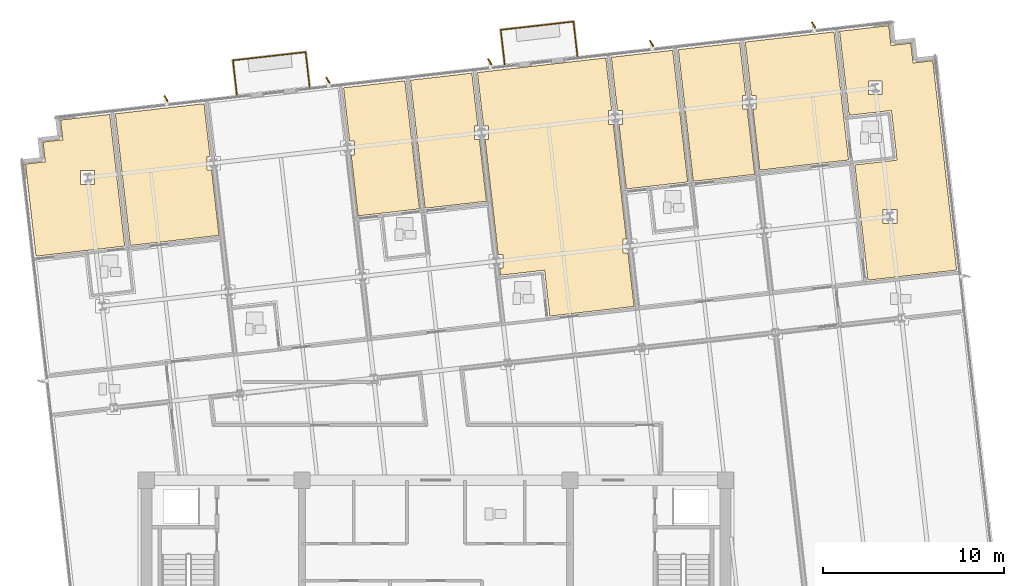
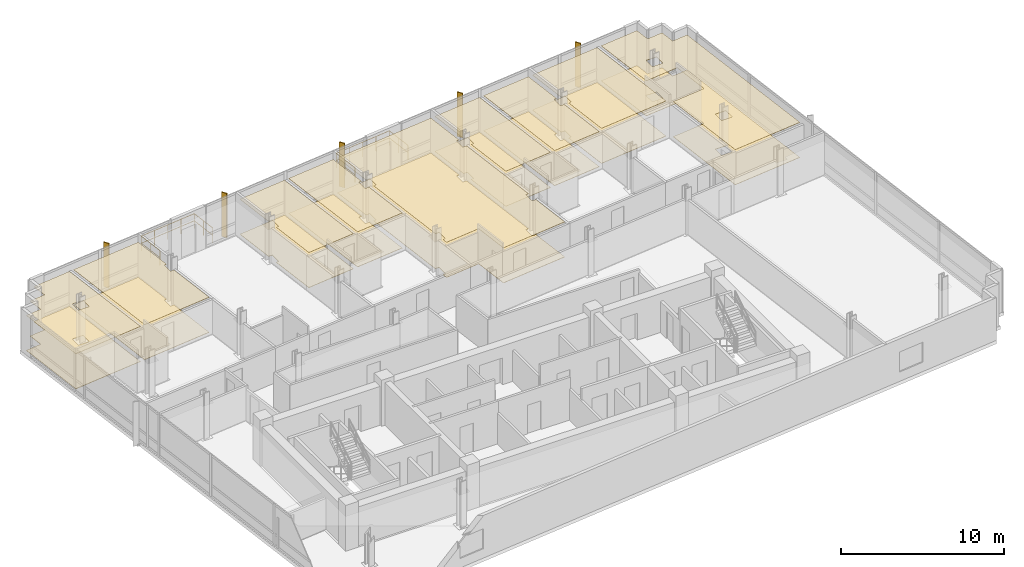
# One storey, part 16 of 17: 18 coverings, 6 railings, 5 shading devices.
"""IFC4 building model written with IfcOpenShell, lengths in metres."""

from ifc_helpers import new_model, si_unit, direction, frame, origin, origin_2d, place, context, subcontext, project, spatial, polyline, rectangle, circle, outline, extrude, material, layer, layer_set, type_object, element, save


model = new_model("IFC4")

# Units and contexts
model_context = context("Model", 3, precision=1e-05, world=origin(), true_north=direction((0.0, 1.0)))
body_context = subcontext(model_context, "Body", "Model", "MODEL_VIEW")
ifc_project = project(units=[si_unit("LENGTHUNIT", "METRE"), si_unit("AREAUNIT", "SQUARE_METRE"), si_unit("VOLUMEUNIT", "CUBIC_METRE"), si_unit("PLANEANGLEUNIT", "RADIAN"), si_unit("MASSUNIT", "GRAM", prefix="KILO")], contexts=[model_context])

# Site, building, storey
site_placement = place(None, origin())
site = spatial("IfcSite", under=ifc_project, at=site_placement, CompositionType="ELEMENT")
building_placement = place(site_placement, origin())
building = spatial("IfcBuilding", under=site, at=building_placement, Name="Solmavex Isthmus Hotel", CompositionType="ELEMENT")
storey_placement = place(building_placement, frame((0.0, 0.0, 198.60009765625)))
storey = spatial("IfcBuildingStorey", under=building, at=storey_placement, Name="L53", CompositionType="ELEMENT", Elevation=198.60009765625)

# Coverings
ifc_material_1 = material(Name="Gypsum plasterboard lining", Category="gypsum")
ifc_layer_1 = layer(ifc_material_1, 0.030029296875)
ifc_layer_set_1 = layer_set([ifc_layer_1], Name="Gypsum plasterboard lining")
covering_type_1 = type_object("IfcCoveringType", Name="COV-CEIL-GYP", PredefinedType="CEILING", material=ifc_layer_set_1)
covering_1_placement = place(storey_placement, frame((0.0, 0.0, 2.619873046875)))
element("IfcCovering", 1, at=covering_1_placement, inside=storey, type_object=covering_type_1, Name="Suspended Acoustic Ceiling L53-HB01", PredefinedType="CEILING", context=body_context, shape_type="SweptSolid", body=[
    extrude(outline(polyline([(-22.677001953125, 14.966552734375), (-22.58349609375, 14.146728515625), (-22.09716796875, 9.87744140625), (-17.19482421875, 10.435791015625), (-18.023681640625, 17.7109375), (-19.92041015625, 17.49462890625), (-20.740234375, 17.4013671875), (-20.615478515625, 16.308349609375), (-21.70849609375, 16.183837890625), (-21.583984375, 15.091064453125), (-22.677001953125, 14.966552734375)]), holes=[polyline([(-19.6259765625, 13.844970703125), (-19.6259765625, 14.60498046875), (-18.865966796875, 14.60498046875), (-18.865966796875, 13.844970703125), (-19.6259765625, 13.844970703125)])]), origin(), (0.0, 0.0, 1.0), 0.030029296875),
])
covering_2_placement = place(storey_placement, frame((0.0, 0.0, 2.619873046875)))
element("IfcCovering", 2, at=covering_2_placement, inside=storey, type_object=covering_type_1, Name="Suspended Acoustic Ceiling L53-HP01", PredefinedType="CEILING", context=body_context, shape_type="SweptSolid", body=[
    extrude(outline(polyline([(-12.395751953125, 14.638427734375), (-12.6630859375, 14.638427734375), (-12.6630859375, 15.3984375), (-12.482421875, 15.3984375), (-12.8134765625, 18.304443359375), (-17.715576171875, 17.745849609375), (-16.88671875, 10.470947265625), (-11.984619140625, 11.029541015625), (-12.395751953125, 14.638427734375)])), origin(), (0.0, 0.0, 1.0), 0.030029296875),
])
covering_3_placement = place(storey_placement, frame((0.0, 0.0, 2.619873046875)))
element("IfcCovering", 3, at=covering_3_placement, inside=storey, type_object=covering_type_1, Name="Suspended Acoustic Ceiling L53-TB03", PredefinedType="CEILING", context=body_context, shape_type="SweptSolid", body=[
    extrude(outline(polyline([(-4.772216796875, 16.2412109375), (-4.5048828125, 16.2412109375), (-4.5048828125, 15.481201171875), (-4.685546875, 15.481201171875), (-4.301025390625, 12.106201171875), (-0.909912109375, 12.49267578125), (-1.71630859375, 19.56884765625), (-5.107177734375, 19.182373046875), (-4.772216796875, 16.2412109375)])), origin(), (0.0, 0.0, 1.0), 0.030029296875),
])
covering_4_placement = place(storey_placement, frame((0.0, 0.0, 2.619873046875)))
element("IfcCovering", 4, at=covering_4_placement, inside=storey, type_object=covering_type_1, Name="Suspended Acoustic Ceiling L53-TL03", PredefinedType="CEILING", context=body_context, shape_type="SweptSolid", body=[
    extrude(outline(polyline([(2.400634765625, 16.32421875), (2.13330078125, 16.32421875), (2.13330078125, 17.084228515625), (2.31396484375, 17.084228515625), (1.98291015625, 19.990234375), (-1.408203125, 19.60400390625), (-0.60205078125, 12.52783203125), (2.7890625, 12.9140625), (2.400634765625, 16.32421875)])), origin(), (0.0, 0.0, 1.0), 0.030029296875),
])
covering_5_placement = place(storey_placement, frame((0.0, 0.0, 2.619873046875)))
element("IfcCovering", 5, at=covering_5_placement, inside=storey, type_object=covering_type_1, Name="Suspended Acoustic Ceiling L53-RM04", PredefinedType="CEILING", context=body_context, shape_type="SweptSolid", body=[
    extrude(outline(polyline([(3.435546875, 9.978271484375), (3.702880859375, 9.978271484375), (3.702880859375, 9.21826171875), (3.522216796875, 9.21826171875), (3.566650390625, 8.827880859375), (6.0009765625, 9.105224609375), (6.28955078125, 6.571533203125), (10.945556640625, 7.10205078125), (10.6083984375, 10.06103515625), (10.341064453125, 10.06103515625), (10.341064453125, 10.821044921875), (10.521728515625, 10.821044921875), (9.798583984375, 17.167236328125), (9.531494140625, 17.167236328125), (9.531494140625, 17.92724609375), (9.712158203125, 17.92724609375), (9.381103515625, 20.833251953125), (2.290771484375, 20.025390625), (2.6259765625, 17.084228515625), (2.893310546875, 17.084228515625), (2.893310546875, 16.32421875), (2.712646484375, 16.32421875), (3.435546875, 9.978271484375)])), origin(), (0.0, 0.0, 1.0), 0.030029296875),
])
covering_6_placement = place(storey_placement, frame((0.0, 0.0, 2.619873046875)))
element("IfcCovering", 6, at=covering_6_placement, inside=storey, type_object=covering_type_1, Name="Suspended Acoustic Ceiling L53-HB05", PredefinedType="CEILING", context=body_context, shape_type="SweptSolid", body=[
    extrude(outline(polyline([(10.024169921875, 17.92724609375), (10.29150390625, 17.92724609375), (10.29150390625, 17.167236328125), (10.110595703125, 17.167236328125), (10.517822265625, 13.59326171875), (13.908935546875, 13.979736328125), (13.080078125, 21.254638671875), (9.68896484375, 20.868408203125), (10.024169921875, 17.92724609375)])), origin(), (0.0, 0.0, 1.0), 0.030029296875),
])
covering_7_placement = place(storey_placement, frame((0.0, 0.0, 2.619873046875)))
element("IfcCovering", 7, at=covering_7_placement, inside=storey, type_object=covering_type_1, Name="Suspended Acoustic Ceiling L53-HP05", PredefinedType="CEILING", context=body_context, shape_type="SweptSolid", body=[
    extrude(outline(polyline([(17.19677734375, 18.010009765625), (16.929443359375, 18.010009765625), (16.929443359375, 18.77001953125), (17.1103515625, 18.77001953125), (16.779052734375, 21.676025390625), (13.38818359375, 21.289794921875), (14.217041015625, 14.014892578125), (17.60791015625, 14.401123046875), (17.19677734375, 18.010009765625)])), origin(), (0.0, 0.0, 1.0), 0.030029296875),
])
covering_8_placement = place(storey_placement, frame((0.0, 0.0, 2.619873046875)))
element("IfcCovering", 8, at=covering_8_placement, inside=storey, type_object=covering_type_1, Name="Suspended Acoustic Ceiling L53-SL06-BD", PredefinedType="CEILING", context=body_context, shape_type="SweptSolid", body=[
    extrude(outline(polyline([(17.42236328125, 18.77001953125), (17.689453125, 18.77001953125), (17.689453125, 18.010009765625), (17.5087890625, 18.010009765625), (17.893310546875, 14.635009765625), (22.795654296875, 15.193603515625), (21.989501953125, 22.269775390625), (17.087158203125, 21.711181640625), (17.42236328125, 18.77001953125)])), origin(), (0.0, 0.0, 1.0), 0.030029296875),
])
covering_9_placement = place(storey_placement, frame((0.0, 0.0, 2.619873046875)))
element("IfcCovering", 9, at=covering_9_placement, inside=storey, type_object=covering_type_1, Name="Suspended Acoustic Ceiling L53-SV06", PredefinedType="CEILING", context=body_context, shape_type="SweptSolid", body=[
    extrude(outline(polyline([(25.138427734375, 21.521484375), (25.013916015625, 22.6142578125), (24.194091796875, 22.52099609375), (22.29736328125, 22.304931640625), (22.826416015625, 17.662841796875), (25.1611328125, 17.928955078125), (25.4736328125, 15.186767578125), (23.138671875, 14.920654296875), (23.8642578125, 8.5537109375), (28.766357421875, 9.1123046875), (27.542236328125, 19.85791015625), (27.44873046875, 20.677490234375), (26.35595703125, 20.552978515625), (26.231201171875, 21.64599609375), (25.138427734375, 21.521484375)]), holes=[polyline([(24.7021484375, 11.697265625), (24.7021484375, 12.457275390625), (25.462158203125, 12.457275390625), (25.462158203125, 11.697265625), (24.7021484375, 11.697265625)]), polyline([(23.892578125, 19.5634765625), (24.652587890625, 19.5634765625), (24.652587890625, 18.803466796875), (23.892578125, 18.803466796875), (23.892578125, 19.5634765625)])]), origin(), (0.0, 0.0, 1.0), 0.030029296875),
])
ifc_material_2 = material(Name="Travertine natural stone", Category="masonry")
ifc_layer_2 = layer(ifc_material_2, 0.02490234375)
ifc_layer_set_2 = layer_set([ifc_layer_2], Name="Travertine natural stone")
covering_type_2 = type_object("IfcCoveringType", Name="COV-FLOR-STN", PredefinedType="FLOORING", material=ifc_layer_set_2)
covering_10_placement = place(storey_placement, origin())
element("IfcCovering", 10, at=covering_10_placement, inside=storey, type_object=covering_type_2, Name="Stone and Timber Floor Finish L53-HB01", PredefinedType="FLOORING", context=body_context, shape_type="SweptSolid", body=[
    extrude(outline(polyline([(-22.677001953125, 14.966552734375), (-22.58349609375, 14.146728515625), (-22.09716796875, 9.87744140625), (-17.19482421875, 10.435791015625), (-18.023681640625, 17.7109375), (-19.92041015625, 17.49462890625), (-20.740234375, 17.4013671875), (-20.615478515625, 16.308349609375), (-21.70849609375, 16.183837890625), (-21.583984375, 15.091064453125), (-22.677001953125, 14.966552734375)]), holes=[polyline([(-19.6259765625, 13.844970703125), (-19.6259765625, 14.60498046875), (-18.865966796875, 14.60498046875), (-18.865966796875, 13.844970703125), (-19.6259765625, 13.844970703125)])]), origin(), (0.0, 0.0, 1.0), 0.02490234375),
])
covering_11_placement = place(storey_placement, origin())
element("IfcCovering", 11, at=covering_11_placement, inside=storey, type_object=covering_type_2, Name="Stone and Timber Floor Finish L53-HP01", PredefinedType="FLOORING", context=body_context, shape_type="SweptSolid", body=[
    extrude(outline(polyline([(-12.395751953125, 14.638427734375), (-12.6630859375, 14.638427734375), (-12.6630859375, 15.3984375), (-12.482421875, 15.3984375), (-12.8134765625, 18.304443359375), (-17.715576171875, 17.745849609375), (-16.88671875, 10.470947265625), (-11.984619140625, 11.029541015625), (-12.395751953125, 14.638427734375)])), origin(), (0.0, 0.0, 1.0), 0.02490234375),
])
covering_12_placement = place(storey_placement, origin())
element("IfcCovering", 12, at=covering_12_placement, inside=storey, type_object=covering_type_2, Name="Stone and Timber Floor Finish L53-TB03", PredefinedType="FLOORING", context=body_context, shape_type="SweptSolid", body=[
    extrude(outline(polyline([(-4.772216796875, 16.2412109375), (-4.5048828125, 16.2412109375), (-4.5048828125, 15.481201171875), (-4.685546875, 15.481201171875), (-4.301025390625, 12.106201171875), (-0.909912109375, 12.49267578125), (-1.71630859375, 19.56884765625), (-5.107177734375, 19.182373046875), (-4.772216796875, 16.2412109375)])), origin(), (0.0, 0.0, 1.0), 0.02490234375),
])
covering_13_placement = place(storey_placement, origin())
element("IfcCovering", 13, at=covering_13_placement, inside=storey, type_object=covering_type_2, Name="Stone and Timber Floor Finish L53-TL03", PredefinedType="FLOORING", context=body_context, shape_type="SweptSolid", body=[
    extrude(outline(polyline([(2.400634765625, 16.32421875), (2.13330078125, 16.32421875), (2.13330078125, 17.084228515625), (2.31396484375, 17.084228515625), (1.98291015625, 19.990234375), (-1.408203125, 19.60400390625), (-0.60205078125, 12.52783203125), (2.7890625, 12.9140625), (2.400634765625, 16.32421875)])), origin(), (0.0, 0.0, 1.0), 0.02490234375),
])
covering_14_placement = place(storey_placement, origin())
element("IfcCovering", 14, at=covering_14_placement, inside=storey, type_object=covering_type_2, Name="Stone and Timber Floor Finish L53-RM04", PredefinedType="FLOORING", context=body_context, shape_type="SweptSolid", body=[
    extrude(outline(polyline([(3.435546875, 9.978271484375), (3.702880859375, 9.978271484375), (3.702880859375, 9.21826171875), (3.522216796875, 9.21826171875), (3.566650390625, 8.827880859375), (6.0009765625, 9.105224609375), (6.28955078125, 6.571533203125), (10.945556640625, 7.10205078125), (10.6083984375, 10.06103515625), (10.341064453125, 10.06103515625), (10.341064453125, 10.821044921875), (10.521728515625, 10.821044921875), (9.798583984375, 17.167236328125), (9.531494140625, 17.167236328125), (9.531494140625, 17.92724609375), (9.712158203125, 17.92724609375), (9.381103515625, 20.833251953125), (2.290771484375, 20.025390625), (2.6259765625, 17.084228515625), (2.893310546875, 17.084228515625), (2.893310546875, 16.32421875), (2.712646484375, 16.32421875), (3.435546875, 9.978271484375)])), origin(), (0.0, 0.0, 1.0), 0.02490234375),
])
covering_15_placement = place(storey_placement, origin())
element("IfcCovering", 15, at=covering_15_placement, inside=storey, type_object=covering_type_2, Name="Stone and Timber Floor Finish L53-HB05", PredefinedType="FLOORING", context=body_context, shape_type="SweptSolid", body=[
    extrude(outline(polyline([(10.024169921875, 17.92724609375), (10.29150390625, 17.92724609375), (10.29150390625, 17.167236328125), (10.110595703125, 17.167236328125), (10.517822265625, 13.59326171875), (13.908935546875, 13.979736328125), (13.080078125, 21.254638671875), (9.68896484375, 20.868408203125), (10.024169921875, 17.92724609375)])), origin(), (0.0, 0.0, 1.0), 0.02490234375),
])
covering_16_placement = place(storey_placement, origin())
element("IfcCovering", 16, at=covering_16_placement, inside=storey, type_object=covering_type_2, Name="Stone and Timber Floor Finish L53-HP05", PredefinedType="FLOORING", context=body_context, shape_type="SweptSolid", body=[
    extrude(outline(polyline([(17.19677734375, 18.010009765625), (16.929443359375, 18.010009765625), (16.929443359375, 18.77001953125), (17.1103515625, 18.77001953125), (16.779052734375, 21.676025390625), (13.38818359375, 21.289794921875), (14.217041015625, 14.014892578125), (17.60791015625, 14.401123046875), (17.19677734375, 18.010009765625)])), origin(), (0.0, 0.0, 1.0), 0.02490234375),
])
covering_17_placement = place(storey_placement, origin())
element("IfcCovering", 17, at=covering_17_placement, inside=storey, type_object=covering_type_2, Name="Stone and Timber Floor Finish L53-SL06-BD", PredefinedType="FLOORING", context=body_context, shape_type="SweptSolid", body=[
    extrude(outline(polyline([(17.42236328125, 18.77001953125), (17.689453125, 18.77001953125), (17.689453125, 18.010009765625), (17.5087890625, 18.010009765625), (17.893310546875, 14.635009765625), (22.795654296875, 15.193603515625), (21.989501953125, 22.269775390625), (17.087158203125, 21.711181640625), (17.42236328125, 18.77001953125)])), origin(), (0.0, 0.0, 1.0), 0.02490234375),
])
covering_18_placement = place(storey_placement, origin())
element("IfcCovering", 18, at=covering_18_placement, inside=storey, type_object=covering_type_2, Name="Stone and Timber Floor Finish L53-SV06", PredefinedType="FLOORING", context=body_context, shape_type="SweptSolid", body=[
    extrude(outline(polyline([(25.138427734375, 21.521484375), (25.013916015625, 22.6142578125), (24.194091796875, 22.52099609375), (22.29736328125, 22.304931640625), (22.826416015625, 17.662841796875), (25.1611328125, 17.928955078125), (25.4736328125, 15.186767578125), (23.138671875, 14.920654296875), (23.8642578125, 8.5537109375), (28.766357421875, 9.1123046875), (27.542236328125, 19.85791015625), (27.44873046875, 20.677490234375), (26.35595703125, 20.552978515625), (26.231201171875, 21.64599609375), (25.138427734375, 21.521484375)]), holes=[polyline([(24.7021484375, 11.697265625), (24.7021484375, 12.457275390625), (25.462158203125, 12.457275390625), (25.462158203125, 11.697265625), (24.7021484375, 11.697265625)]), polyline([(23.892578125, 19.5634765625), (24.652587890625, 19.5634765625), (24.652587890625, 18.803466796875), (23.892578125, 18.803466796875), (23.892578125, 19.5634765625)])]), origin(), (0.0, 0.0, 1.0), 0.02490234375),
])

# Railings
ifc_material_3 = material(Name="Clear low-E laminated glass", Category="glass")
ifc_layer_3 = layer(ifc_material_3, 0.070068359375)
ifc_layer_set_3 = layer_set([ifc_layer_3], Name="Clear low-E laminated glass")
railing_type = type_object("IfcRailingType", Name="RAIL-GUARD-1100", PredefinedType="BALUSTRADE", material=ifc_layer_set_3)
railing_1_placement = place(storey_placement, frame((-10.99853515625, 18.7880859375, 0.0)))
element("IfcRailing", 19, at=railing_1_placement, inside=storey, type_object=railing_type, Name="Guardrail Balustrade L53-BAL1-01", PredefinedType="BALUSTRADE", context=body_context, shape_type="SweptSolid", body=[
    extrude(circle(Radius=0.02392578125, at=origin_2d()), frame((0.0, 0.0, 1.09619140625), z_axis=(-0.113166454875, 0.993576043135, 0.0), x_axis=(-0.993576043135, -0.113166454875, 0.0)), (0.0, 0.0, 1.0), 1.920166015625),
    extrude(circle(Radius=0.02392578125, at=origin_2d()), frame((0.0, 0.0, 0.56005859375), z_axis=(-0.113166454875, 0.993576043135, 0.0), x_axis=(-0.993576043135, -0.113166454875, 0.0)), (0.0, 0.0, 1.0), 1.920166015625),
    extrude(circle(Radius=0.02099609375, at=origin_2d()), origin(), (0.0, 0.0, 1.0), 1.072021484375),
    extrude(circle(Radius=0.02099609375, at=origin_2d()), frame((-0.108642578125, 0.953857421875, 0.0)), (0.0, 0.0, 1.0), 1.072021484375),
    extrude(circle(Radius=0.02099609375, at=origin_2d()), frame((-0.21728515625, 1.90771484375, 0.0)), (0.0, 0.0, 1.0), 1.072021484375),
])
railing_2_placement = place(storey_placement, frame((-11.2158203125, 20.69580078125, 0.0)))
element("IfcRailing", 20, at=railing_2_placement, inside=storey, type_object=railing_type, Name="Guardrail Balustrade L53-BAL1-02", PredefinedType="BALUSTRADE", context=body_context, shape_type="SweptSolid", body=[
    extrude(circle(Radius=0.02392578125, at=origin_2d()), frame((0.0, 0.0, 1.09619140625), z_axis=(0.993573319275, 0.113190367192, 0.0), x_axis=(-0.113190367192, 0.993573319275, 0.0)), (0.0, 0.0, 1.0), 4.039794921875),
    extrude(circle(Radius=0.02392578125, at=origin_2d()), frame((0.0, 0.0, 0.56005859375), z_axis=(0.993573319275, 0.113190367192, 0.0), x_axis=(-0.113190367192, 0.993573319275, 0.0)), (0.0, 0.0, 1.0), 4.039794921875),
    extrude(circle(Radius=0.02099609375, at=origin_2d()), origin(), (0.0, 0.0, 1.0), 1.072021484375),
    extrude(circle(Radius=0.02099609375, at=origin_2d()), frame((1.00341796875, 0.1142578125, 0.0)), (0.0, 0.0, 1.0), 1.072021484375),
    extrude(circle(Radius=0.02099609375, at=origin_2d()), frame((2.0068359375, 0.228515625, 0.0)), (0.0, 0.0, 1.0), 1.072021484375),
    extrude(circle(Radius=0.02099609375, at=origin_2d()), frame((3.010498046875, 0.343017578125, 0.0)), (0.0, 0.0, 1.0), 1.072021484375),
    extrude(circle(Radius=0.02099609375, at=origin_2d()), frame((4.013916015625, 0.457275390625, 0.0)), (0.0, 0.0, 1.0), 1.072021484375),
])
railing_3_placement = place(storey_placement, frame((-7.201904296875, 21.153076171875, 0.0)))
element("IfcRailing", 21, at=railing_3_placement, inside=storey, type_object=railing_type, Name="Guardrail Balustrade L53-BAL1-03", PredefinedType="BALUSTRADE", context=body_context, shape_type="SweptSolid", body=[
    extrude(circle(Radius=0.02392578125, at=origin_2d()), frame((0.0, 0.0, 1.09619140625), z_axis=(0.113291977077, -0.993561738359, 0.0), x_axis=(0.993561738359, 0.113291977077, 0.0)), (0.0, 0.0, 1.0), 1.920166015625),
    extrude(circle(Radius=0.02392578125, at=origin_2d()), frame((0.0, 0.0, 0.56005859375), z_axis=(0.113291977077, -0.993561738359, 0.0), x_axis=(0.993561738359, 0.113291977077, 0.0)), (0.0, 0.0, 1.0), 1.920166015625),
    extrude(circle(Radius=0.02099609375, at=origin_2d()), origin(), (0.0, 0.0, 1.0), 1.072021484375),
    extrude(circle(Radius=0.02099609375, at=origin_2d()), frame((0.10888671875, -0.953857421875, 0.0)), (0.0, 0.0, 1.0), 1.072021484375),
    extrude(circle(Radius=0.02099609375, at=origin_2d()), frame((0.217529296875, -1.90771484375, 0.0)), (0.0, 0.0, 1.0), 1.072021484375),
])
railing_4_placement = place(storey_placement, frame((3.7978515625, 20.473876953125, 0.0)))
element("IfcRailing", 22, at=railing_4_placement, inside=storey, type_object=railing_type, Name="Guardrail Balustrade L53-BAL2-01", PredefinedType="BALUSTRADE", context=body_context, shape_type="SweptSolid", body=[
    extrude(circle(Radius=0.02392578125, at=origin_2d()), frame((0.0, 0.0, 1.09619140625), z_axis=(-0.113291977077, 0.993561738359, 0.0), x_axis=(-0.993561738359, -0.113291977077, 0.0)), (0.0, 0.0, 1.0), 1.920166015625),
    extrude(circle(Radius=0.02392578125, at=origin_2d()), frame((0.0, 0.0, 0.56005859375), z_axis=(-0.113291977077, 0.993561738359, 0.0), x_axis=(-0.993561738359, -0.113291977077, 0.0)), (0.0, 0.0, 1.0), 1.920166015625),
    extrude(circle(Radius=0.02099609375, at=origin_2d()), origin(), (0.0, 0.0, 1.0), 1.072021484375),
    extrude(circle(Radius=0.02099609375, at=origin_2d()), frame((-0.10888671875, 0.953857421875, 0.0)), (0.0, 0.0, 1.0), 1.072021484375),
    extrude(circle(Radius=0.02099609375, at=origin_2d()), frame((-0.217529296875, 1.90771484375, 0.0)), (0.0, 0.0, 1.0), 1.072021484375),
])
railing_5_placement = place(storey_placement, frame((3.580322265625, 22.381591796875, 0.0)))
element("IfcRailing", 23, at=railing_5_placement, inside=storey, type_object=railing_type, Name="Guardrail Balustrade L53-BAL2-02", PredefinedType="BALUSTRADE", context=body_context, shape_type="SweptSolid", body=[
    extrude(circle(Radius=0.02392578125, at=origin_2d()), frame((0.0, 0.0, 1.09619140625), z_axis=(0.993574093472, 0.113183571164, 0.0), x_axis=(-0.113183571164, 0.993574093472, 0.0)), (0.0, 0.0, 1.0), 4.0400390625),
    extrude(circle(Radius=0.02392578125, at=origin_2d()), frame((0.0, 0.0, 0.56005859375), z_axis=(0.993574093472, 0.113183571164, 0.0), x_axis=(-0.113183571164, 0.993574093472, 0.0)), (0.0, 0.0, 1.0), 4.0400390625),
    extrude(circle(Radius=0.02099609375, at=origin_2d()), origin(), (0.0, 0.0, 1.0), 1.072021484375),
    extrude(circle(Radius=0.02099609375, at=origin_2d()), frame((1.00341796875, 0.1142578125, 0.0)), (0.0, 0.0, 1.0), 1.072021484375),
    extrude(circle(Radius=0.02099609375, at=origin_2d()), frame((2.007080078125, 0.228515625, 0.0)), (0.0, 0.0, 1.0), 1.072021484375),
    extrude(circle(Radius=0.02099609375, at=origin_2d()), frame((3.0107421875, 0.343017578125, 0.0)), (0.0, 0.0, 1.0), 1.072021484375),
    extrude(circle(Radius=0.02099609375, at=origin_2d()), frame((4.01416015625, 0.457275390625, 0.0)), (0.0, 0.0, 1.0), 1.072021484375),
])
railing_6_placement = place(storey_placement, frame((7.594482421875, 22.8388671875, 0.0)))
element("IfcRailing", 24, at=railing_6_placement, inside=storey, type_object=railing_type, Name="Guardrail Balustrade L53-BAL2-03", PredefinedType="BALUSTRADE", context=body_context, shape_type="SweptSolid", body=[
    extrude(circle(Radius=0.02392578125, at=origin_2d()), frame((0.0, 0.0, 1.09619140625), z_axis=(0.113166454875, -0.993576043135, 0.0), x_axis=(0.993576043135, 0.113166454875, 0.0)), (0.0, 0.0, 1.0), 1.920166015625),
    extrude(circle(Radius=0.02392578125, at=origin_2d()), frame((0.0, 0.0, 0.56005859375), z_axis=(0.113166454875, -0.993576043135, 0.0), x_axis=(0.993576043135, 0.113166454875, 0.0)), (0.0, 0.0, 1.0), 1.920166015625),
    extrude(circle(Radius=0.02099609375, at=origin_2d()), origin(), (0.0, 0.0, 1.0), 1.072021484375),
    extrude(circle(Radius=0.02099609375, at=origin_2d()), frame((0.108642578125, -0.953857421875, 0.0)), (0.0, 0.0, 1.0), 1.072021484375),
    extrude(circle(Radius=0.02099609375, at=origin_2d()), frame((0.21728515625, -1.90771484375, 0.0)), (0.0, 0.0, 1.0), 1.072021484375),
])

# Shading devices
ifc_material_4 = material(Name="Aluminium alloy 6063-T6", Category="aluminium")
shading_device_type = type_object("IfcShadingDeviceType", Name="SHD-FIN-CHAMP", PredefinedType="USERDEFINED", material=ifc_material_4)
for number, where, z_axis, x_axis, name in (
    (25, (-14.91162109375, 18.583740234375, -0.14013671875), (0.0, 0.0, 1.0), (-0.537299608347, 0.843391445813, 0.0), "Anodised Aluminium Solar Fin L53-N1"),
    (26, (-5.96923828125, 19.6025390625, -0.14013671875), (0.0, 0.0, 1.0), (-0.537299608347, 0.843391445813, 0.0), "Anodised Aluminium Solar Fin L53-N2"),
    (27, (2.972900390625, 20.621337890625, -0.14013671875), (0.0, 0.0, 1.0), (-0.537299608347, 0.843391445813, 0.0), "Anodised Aluminium Solar Fin L53-N3"),
    (28, (11.9150390625, 21.64013671875, -0.14013671875), (0.0, 0.0, 1.0), (-0.537299608347, 0.843391445813, 0.0), "Anodised Aluminium Solar Fin L53-N4"),
    (29, (20.857177734375, 22.6591796875, -0.14013671875), (0.0, 0.0, 1.0), (-0.537299608347, 0.843391445813, 0.0), "Anodised Aluminium Solar Fin L53-N5"),
):
    element("IfcShadingDevice", number, at=place(storey_placement, frame(where, z_axis=z_axis, x_axis=x_axis)), inside=storey, type_object=shading_device_type, Name=name, ObjectType="SOLAR_FIN", PredefinedType="USERDEFINED", context=body_context, shape_type="SweptSolid", body=[
        extrude(rectangle(XDim=0.3798828125, YDim=0.070068359375, at=origin_2d()), origin(), (0.0, 0.0, 1.0), 3.330078125),
    ])

save(model, "model.ifc")
